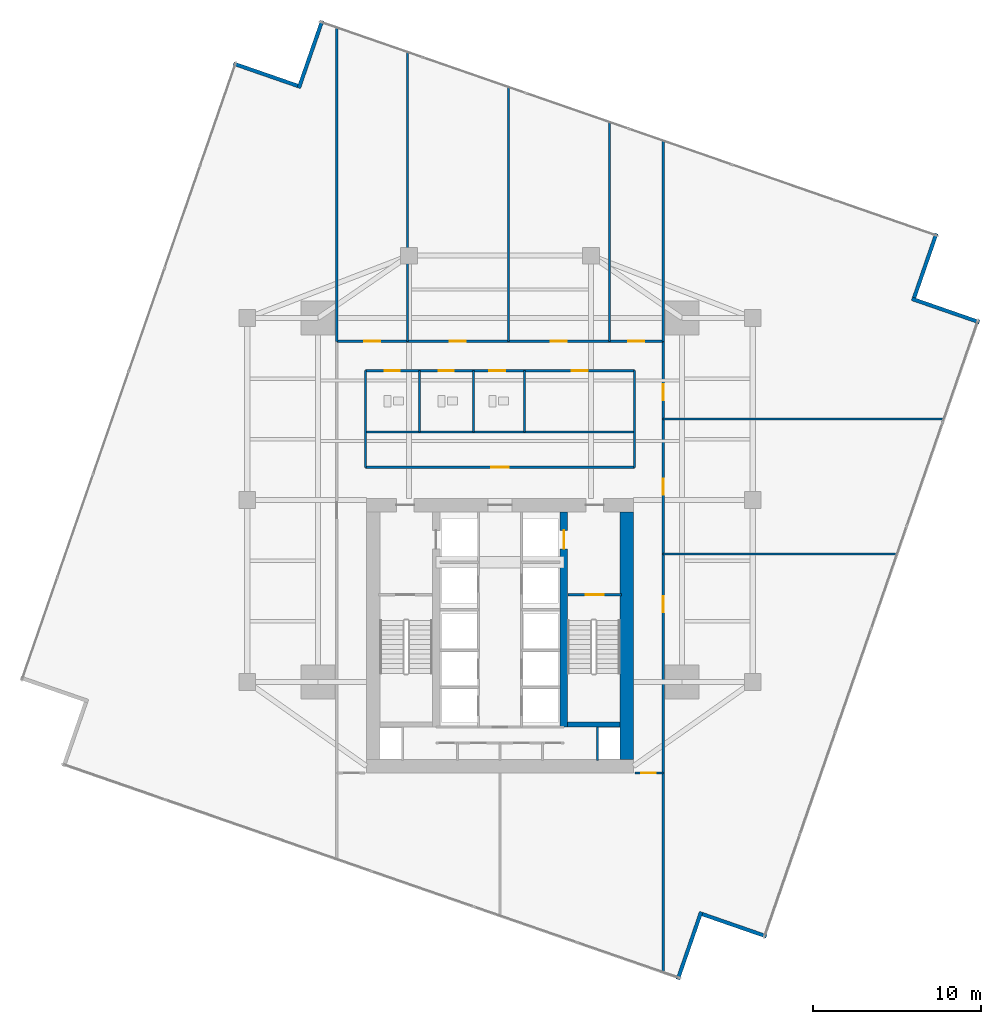
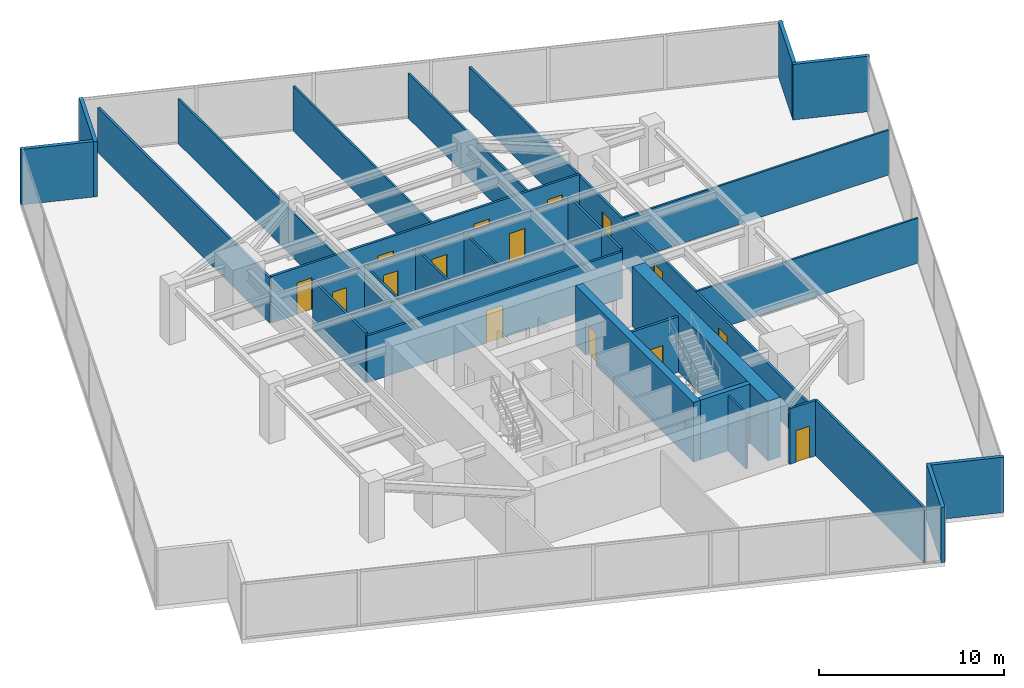
# One storey, part 24 of 27: 30 walls, 15 doors, 15 openings.
"""IFC4 building model written with IfcOpenShell, lengths in metres."""

import ifcopenshell
import ifcopenshell.guid

model = None  # the IFC model being written
_history = None  # IfcOwnerHistory: only IFC2X3 demands one
_inside = {}  # id of a spatial element -> (the spatial element, [elements in it])
_under = {}  # id of a project, library or spatial element -> (it, [spatial elements below it])
_declared = {}  # id of a project -> (the project, [libraries it declares])
_typed = {}  # id of a type object -> (the type object, [elements of that type])
_made_of = {}  # id of a material, layer set ... -> (it, [elements and type objects made of it])


def new_model(schema):
    """Start an empty IFC model of exactly this schema.

    Asked for "IFC4X3", IfcOpenShell would pick the latest addendum, in which some entities
    have other attributes; the version numbers below select the first issue.
    IFC2X3 requires an IfcOwnerHistory on every rooted entity: one is made here for all.
    """
    global model, _history
    if schema == "IFC4X3":
        model = ifcopenshell.file(schema_version=(4, 3, 0, 0))
    else:
        model = ifcopenshell.file(schema=schema)
    _inside.clear()
    _under.clear()
    _declared.clear()
    _typed.clear()
    _made_of.clear()
    _history = None
    if model.schema == "IFC2X3":
        org = make("IfcOrganization", Name="unknown")
        user = make(
            "IfcPersonAndOrganization",
            ThePerson=make("IfcPerson", FamilyName="unknown"),
            TheOrganization=org,
        )
        app = make(
            "IfcApplication",
            ApplicationDeveloper=org,
            Version="unknown",
            ApplicationFullName="unknown",
            ApplicationIdentifier="unknown",
        )
        _history = make(
            "IfcOwnerHistory",
            OwningUser=user,
            OwningApplication=app,
            ChangeAction="ADDED",
            CreationDate=0,
        )
    return model


def make(cls, **values):
    """One entity of the class cls with the attributes given. An attribute that is None is left unset."""
    return model.create_entity(
        cls, **{name: value for name, value in values.items() if value is not None}
    )


def rooted(cls, **values):
    """An entity with a GlobalId (a new one), such as an element, a storey or a relation."""
    return make(cls, GlobalId=ifcopenshell.guid.new(), OwnerHistory=_history, **values)


def si_unit(unit_type, name, prefix=None):
    """IfcSIUnit, for example si_unit("LENGTHUNIT", "METRE", prefix="MILLI")."""
    return make("IfcSIUnit", UnitType=unit_type, Prefix=prefix, Name=name)


def assignment(units):
    """IfcUnitAssignment: the units of a project."""
    return None if units is None else make("IfcUnitAssignment", Units=units)


def point(xyz):
    """IfcCartesianPoint."""
    return None if xyz is None else make("IfcCartesianPoint", Coordinates=xyz)


def direction(xyz):
    """IfcDirection."""
    return None if xyz is None else make("IfcDirection", DirectionRatios=xyz)


def frame(location, z_axis=None, x_axis=None):
    """IfcAxis2Placement3D, a coordinate frame: its origin and axes. An axis left out is left unset."""
    return make(
        "IfcAxis2Placement3D",
        Location=point(location),
        Axis=direction(z_axis),
        RefDirection=direction(x_axis),
    )


def frame_2d(location, x_axis=None):
    """IfcAxis2Placement2D, a coordinate frame in the plane: its origin and x axis."""
    return make(
        "IfcAxis2Placement2D", Location=point(location), RefDirection=direction(x_axis)
    )


def origin():
    """The frame at (0, 0, 0) with its axes left unset."""
    return frame((0.0, 0.0, 0.0))


def place(relative_to, where):
    """IfcLocalPlacement: puts the frame where relative to a parent placement (None: the world)."""
    return make(
        "IfcLocalPlacement", PlacementRelTo=relative_to, RelativePlacement=where
    )


def context(
    kind, dimensions, precision=None, world=None, true_north=None, identifier=None
):
    """IfcGeometricRepresentationContext, for example the 3D "Model" context."""
    return make(
        "IfcGeometricRepresentationContext",
        ContextIdentifier=identifier,
        ContextType=kind,
        CoordinateSpaceDimension=dimensions,
        Precision=precision,
        WorldCoordinateSystem=world,
        TrueNorth=true_north,
    )


def subcontext(parent, identifier, kind, view, scale=None):
    """IfcGeometricRepresentationSubContext, for example "Body" below "Model"."""
    return make(
        "IfcGeometricRepresentationSubContext",
        ContextIdentifier=identifier,
        ContextType=kind,
        ParentContext=parent,
        TargetScale=scale,
        TargetView=view,
    )


def project(units=None, contexts=None):
    """IfcProject with its units and contexts."""
    return rooted(
        "IfcProject",
        Name="project",
        RepresentationContexts=contexts,
        UnitsInContext=assignment(units),
    )


def spatial(cls, under=None, at=None, **own):
    """A site, building, storey or space (cls), placed at a placement, below another one or the project."""
    s = rooted(cls, ObjectPlacement=at, **own)
    if under is not None:
        _under.setdefault(under.id(), (under, []))[1].append(s)
    return s


def profile(cls, at=None, kind="AREA", **sizes):
    """A parametric profile (cls). Its sizes go by their IFC names, for example OverallWidth=200.0."""
    return make(cls, ProfileType=kind, Position=at, **sizes)


def rectangle(**sizes):
    """IfcRectangleProfileDef."""
    return profile("IfcRectangleProfileDef", **sizes)


def extrude(swept, where, along, depth):
    """IfcExtrudedAreaSolid: the profile swept, set in the frame where, extruded along a direction by depth."""
    return make(
        "IfcExtrudedAreaSolid",
        SweptArea=swept,
        Position=where,
        ExtrudedDirection=direction(along),
        Depth=depth,
    )


def shape(context_of_items, identifier, shape_type, items):
    """IfcShapeRepresentation: the items that make up one representation, for example the "Body"."""
    return make(
        "IfcShapeRepresentation",
        ContextOfItems=context_of_items,
        RepresentationIdentifier=identifier,
        RepresentationType=shape_type,
        Items=items,
    )


def material(Name=None, Category=None):
    """IfcMaterial."""
    return make("IfcMaterial", Name=Name, Category=Category)


def layer(
    of_material, thickness, ventilated=None, Name=None, Category=None, Priority=None
):
    """IfcMaterialLayer: one layer of a wall or slab, of a material (None: an air gap)."""
    return make(
        "IfcMaterialLayer",
        Material=of_material,
        LayerThickness=thickness,
        IsVentilated=ventilated,
        Name=Name,
        Category=Category,
        Priority=Priority,
    )


def layer_set(layers, Name=None):
    """IfcMaterialLayerSet."""
    return make("IfcMaterialLayerSet", MaterialLayers=layers, LayerSetName=Name)


def made_of(thing, what):
    """Note that an element or type object is made of a material, layer set ...; save() writes the relation."""
    if what is not None:
        _made_of.setdefault(what.id(), (what, []))[1].append(thing)
    return thing


def type_object(cls, material=None, **own):
    """A type object (cls), such as IfcWallType, which elements share."""
    return made_of(rooted(cls, **own), material)


def element(
    cls,
    number,
    at=None,
    inside=None,
    cuts=None,
    type_object=None,
    material=None,
    context=None,
    identifier="Body",
    shape_type=None,
    held_by="IfcProductDefinitionShape",
    body=None,
    shapes=None,
    **own,
):
    """One element of the class cls, such as IfcWall. Its Tag is "e" and its number.

    at: its placement. inside: the storey or other place that contains it. cuts: it is an
    opening in that element (IfcRelVoidsElement). A single representation is given by context,
    identifier, shape_type and body (its items); several are given by shapes. held_by: the class
    of the entity that holds the representations. save() writes the other relations.
    """
    e = rooted(cls, Tag="e%d" % number, ObjectPlacement=at, **own)
    if body is not None:
        shapes = [shape(context, identifier, shape_type, body)]
    if shapes is not None:
        e.Representation = make(held_by, Representations=shapes)
    if inside is not None:
        _inside.setdefault(inside.id(), (inside, []))[1].append(e)
    if cuts is not None:
        rooted(
            "IfcRelVoidsElement", RelatingBuildingElement=cuts, RelatedOpeningElement=e
        )
    if type_object is not None:
        _typed.setdefault(type_object.id(), (type_object, []))[1].append(e)
    return made_of(e, material)


def fill(opening, filler):
    """IfcRelFillsElement: the door or window that sits in an opening."""
    return rooted(
        "IfcRelFillsElement",
        RelatingOpeningElement=opening,
        RelatedBuildingElement=filler,
    )


def aggregate(whole, parts):
    """IfcRelAggregates: a whole, such as a stair, and the parts it consists of."""
    return rooted("IfcRelAggregates", RelatingObject=whole, RelatedObjects=parts)


def save(model, path):
    """Write the relations noted so far, then the file.

    IfcRelAggregates (storeys below a building ...), IfcRelContainedInSpatialStructure (elements
    in a storey), IfcRelDefinesByType, IfcRelAssociatesMaterial and IfcRelDeclares: one each for
    every whole, place, type object, material and project.
    """
    for whole, parts in _under.values():
        aggregate(whole, parts)
    for where, things in _inside.values():
        rooted(
            "IfcRelContainedInSpatialStructure",
            RelatedElements=things,
            RelatingStructure=where,
        )
    for kind, things in _typed.values():
        rooted("IfcRelDefinesByType", RelatedObjects=things, RelatingType=kind)
    for what, things in _made_of.values():
        rooted("IfcRelAssociatesMaterial", RelatedObjects=things, RelatingMaterial=what)
    for by, libraries in _declared.values():
        rooted("IfcRelDeclares", RelatingContext=by, RelatedDefinitions=libraries)
    model.write(path)


model = new_model("IFC4")

# Units and contexts
model_context = context("Model", 3, precision=1e-05, world=origin(), true_north=direction((0.0, 1.0)))
body_context = subcontext(model_context, "Body", "Model", "MODEL_VIEW")
ifc_project = project(units=[si_unit("LENGTHUNIT", "METRE"), si_unit("AREAUNIT", "SQUARE_METRE"), si_unit("VOLUMEUNIT", "CUBIC_METRE"), si_unit("PLANEANGLEUNIT", "RADIAN"), si_unit("MASSUNIT", "GRAM", prefix="KILO")], contexts=[model_context])

# Site, building, storey
site_placement = place(None, origin())
site = spatial("IfcSite", under=ifc_project, at=site_placement, CompositionType="ELEMENT")
building_placement = place(site_placement, origin())
building = spatial("IfcBuilding", under=site, at=building_placement, Name="Krantzveldt Concourse Tower", CompositionType="ELEMENT")
storey_placement = place(building_placement, frame((0.0, 0.0, 125.60009765625)))
storey = spatial("IfcBuildingStorey", under=building, at=storey_placement, Name="L30", CompositionType="ELEMENT", Elevation=125.60009765625)

# Walls
ifc_material_1 = material(Name="Anodised aluminium 6063-T6", Category="aluminium")
ifc_layer_1 = layer(ifc_material_1, 0.219970703125, Name="Anodised aluminium 6063-T6", Category="aluminium")
ifc_layer_set_1 = layer_set([ifc_layer_1], Name="Anodised aluminium 6063-T6 (WL-EXT-NOTCH220)")
wall_type_1 = type_object("IfcWallType", Name="WL-EXT-NOTCH220", PredefinedType="ELEMENTEDWALL", material=ifc_layer_set_1)
wall_1_placement = place(storey_placement, frame((23.99072265625, 51.28125, 0.0), z_axis=(0.0, 0.0, 1.0), x_axis=(-0.944792639593, 0.327668839181, 0.0)))
element("IfcWall", 1, at=wall_1_placement, inside=storey, type_object=wall_type_1, Name="EW-L30-NCH00", PredefinedType="ELEMENTEDWALL", context=body_context, shape_type="SweptSolid", body=[
    extrude(rectangle(XDim=4.02490234375, YDim=0.219970703125, at=frame_2d((2.012451171875, 0.0))), origin(), (0.0, 0.0, 1.0), 3.669921875),
])
wall_2_placement = place(storey_placement, frame((46.550537109375, -1.751953125, 0.0), z_axis=(0.0, 0.0, 1.0), x_axis=(0.327661647146, 0.944795133873, 0.0)))
element("IfcWall", 2, at=wall_2_placement, inside=storey, type_object=wall_type_1, Name="EW-L30-NCH05", PredefinedType="ELEMENTEDWALL", context=body_context, shape_type="SweptSolid", body=[
    extrude(rectangle(XDim=4.244873046875, YDim=0.219970703125, at=frame_2d((2.12255859375, 0.0))), origin(), (0.0, 0.0, 1.0), 3.669921875),
])
wall_3_placement = place(storey_placement, frame((48.00927734375, 2.11865234375, 0.0), z_axis=(0.0, 0.0, 1.0), x_axis=(0.944811416539, -0.327614693164, 0.0)))
element("IfcWall", 3, at=wall_3_placement, inside=storey, type_object=wall_type_1, Name="EW-L30-NCH06", PredefinedType="ELEMENTEDWALL", context=body_context, shape_type="SweptSolid", body=[
    extrude(rectangle(XDim=4.02490234375, YDim=0.219970703125, at=frame_2d((2.012451171875, 0.0))), origin(), (0.0, 0.0, 1.0), 3.669921875),
])
wall_4_placement = place(storey_placement, frame((64.4521484375, 37.25048828125, 0.0), z_axis=(0.0, 0.0, 1.0), x_axis=(-0.944801308279, 0.327643843028, 0.0)))
element("IfcWall", 4, at=wall_4_placement, inside=storey, type_object=wall_type_1, Name="EW-L30-NCH08", PredefinedType="ELEMENTEDWALL", context=body_context, shape_type="SweptSolid", body=[
    extrude(rectangle(XDim=4.2451171875, YDim=0.219970703125, at=frame_2d((2.12255859375, 0.0))), origin(), (0.0, 0.0, 1.0), 3.669921875),
])
wall_5_placement = place(storey_placement, frame((60.581298828125, 38.709228515625, 0.0), z_axis=(0.0, 0.0, 1.0), x_axis=(0.327650062068, 0.94479915158, 0.0)))
element("IfcWall", 5, at=wall_5_placement, inside=storey, type_object=wall_type_1, Name="EW-L30-NCH09", PredefinedType="ELEMENTEDWALL", context=body_context, shape_type="SweptSolid", body=[
    extrude(rectangle(XDim=4.025146484375, YDim=0.219970703125, at=frame_2d((2.0126953125, 0.0))), origin(), (0.0, 0.0, 1.0), 3.669921875),
])
wall_6_placement = place(storey_placement, frame((25.449462890625, 55.152099609375, 0.0), z_axis=(0.0, 0.0, 1.0), x_axis=(-0.327643843028, -0.944801308279, 0.0)))
element("IfcWall", 6, at=wall_6_placement, inside=storey, type_object=wall_type_1, Name="EW-L30-NCH11", PredefinedType="ELEMENTEDWALL", context=body_context, shape_type="SweptSolid", body=[
    extrude(rectangle(XDim=4.2451171875, YDim=0.219970703125, at=frame_2d((2.12255859375, 0.0))), origin(), (0.0, 0.0, 1.0), 3.669921875),
])
ifc_material_2 = material(Name="Fire-rated gypsum plasterboard on steel stud", Category="steel")
ifc_layer_2 = layer(ifc_material_2, 0.1201171875, Name="Fire-rated gypsum plasterboard on steel stud", Category="steel")
ifc_layer_set_2 = layer_set([ifc_layer_2], Name="Fire-rated gypsum plasterboard on steel stud (WL-PART-120)")
wall_type_2 = type_object("IfcWallType", Name="WL-PART-120", PredefinedType="PARTITIONING", material=ifc_layer_set_2)
wall_7_placement = place(storey_placement, frame((28.02001953125, 30.739990234375, 0.0), z_axis=(0.0, 0.0, 1.0), x_axis=(1.0, 0.0, 0.0)))
element("IfcWall", 7, at=wall_7_placement, inside=storey, type_object=wall_type_2, Name="WP-L30-ISLM", PredefinedType="PARTITIONING", context=body_context, shape_type="SweptSolid", body=[
    extrude(rectangle(XDim=15.9599609375, YDim=0.1201171875, at=frame_2d((7.97998046875, 0.0))), origin(), (0.0, 0.0, 1.0), 3.079833984375),
])
for number, where, z_axis, x_axis, name in (
    (8, (31.219970703125, 30.739990234375, 0.0), (0.0, 0.0, 1.0), (0.0, 1.0, 0.0), "WP-L30-WCD1"),
    (9, (34.419921875, 30.739990234375, 0.0), (0.0, 0.0, 1.0), (0.0, 1.0, 0.0), "WP-L30-WCD2"),
    (10, (37.449951171875, 30.739990234375, 0.0), (0.0, 0.0, 1.0), (0.0, 1.0, 0.0), "WP-L30-WCD3"),
):
    element("IfcWall", number, at=place(storey_placement, frame(where, z_axis=z_axis, x_axis=x_axis)), inside=storey, type_object=wall_type_2, Name=name, PredefinedType="PARTITIONING", context=body_context, shape_type="SweptSolid", body=[
        extrude(rectangle(XDim=3.639892578125, YDim=0.1201171875, at=frame_2d((1.81982421875, 0.0))), origin(), (0.0, 0.0, 1.0), 3.169921875),
    ])
wall_8_placement = place(storey_placement, frame((30.5, 36.1201171875, 0.0), z_axis=(0.0, 0.0, 1.0), x_axis=(0.0, 1.0, 0.0)))
element("IfcWall", 11, at=wall_8_placement, inside=storey, type_object=wall_type_2, Name="WP-L30-ND1", PredefinedType="PARTITIONING", context=body_context, shape_type="SweptSolid", body=[
    extrude(rectangle(XDim=17.158935546875, YDim=0.1201171875, at=frame_2d((8.57958984375, 0.0))), origin(), (0.0, 0.0, 1.0), 2.969970703125),
])
wall_9_placement = place(storey_placement, frame((36.5, 36.1201171875, 0.0), z_axis=(0.0, 0.0, 1.0), x_axis=(0.0, 1.0, 0.0)))
element("IfcWall", 12, at=wall_9_placement, inside=storey, type_object=wall_type_2, Name="WP-L30-ND2", PredefinedType="PARTITIONING", context=body_context, shape_type="SweptSolid", body=[
    extrude(rectangle(XDim=15.078125, YDim=0.1201171875, at=frame_2d((7.5390625, 0.0))), origin(), (0.0, 0.0, 1.0), 2.969970703125),
])
wall_10_placement = place(storey_placement, frame((42.5, 36.1201171875, 0.0), z_axis=(0.0, 0.0, 1.0), x_axis=(0.0, 1.0, 0.0)))
element("IfcWall", 13, at=wall_10_placement, inside=storey, type_object=wall_type_2, Name="WP-L30-ND3", PredefinedType="PARTITIONING", context=body_context, shape_type="SweptSolid", body=[
    extrude(rectangle(XDim=12.99755859375, YDim=0.1201171875, at=frame_2d((6.498779296875, 0.0))), origin(), (0.0, 0.0, 1.0), 2.969970703125),
])
wall_11_placement = place(storey_placement, frame((45.679931640625, 23.5, 0.0), z_axis=(0.0, 0.0, 1.0), x_axis=(1.0, 0.0, 0.0)))
element("IfcWall", 14, at=wall_11_placement, inside=storey, type_object=wall_type_2, Name="WP-L30-ED1", PredefinedType="PARTITIONING", context=body_context, shape_type="SweptSolid", body=[
    extrude(rectangle(XDim=13.882080078125, YDim=0.1201171875, at=frame_2d((6.94091796875, 0.0))), origin(), (0.0, 0.0, 1.0), 2.969970703125),
])
wall_12_placement = place(storey_placement, frame((45.679931640625, 31.5, 0.0), z_axis=(0.0, 0.0, 1.0), x_axis=(1.0, 0.0, 0.0)))
element("IfcWall", 15, at=wall_12_placement, inside=storey, type_object=wall_type_2, Name="WP-L30-ED2", PredefinedType="PARTITIONING", context=body_context, shape_type="SweptSolid", body=[
    extrude(rectangle(XDim=16.65625, YDim=0.1201171875, at=frame_2d((8.328125, 0.0))), origin(), (0.0, 0.0, 1.0), 2.969970703125),
])

# Wall, opening, door
ifc_layer_3 = layer(ifc_material_2, 0.139892578125, Name="Fire-rated gypsum plasterboard on steel stud", Category="steel")
ifc_layer_set_3 = layer_set([ifc_layer_3], Name="Fire-rated gypsum plasterboard on steel stud (WL-PART-140)")
wall_type_3 = type_object("IfcWallType", Name="WL-PART-140", PredefinedType="PARTITIONING", material=ifc_layer_set_3)
wall_13_placement = place(storey_placement, frame((28.02001953125, 28.639892578125, 0.0), z_axis=(0.0, 0.0, 1.0), x_axis=(1.0, 0.0, 0.0)))
wall_13 = element("IfcWall", 16, at=wall_13_placement, inside=storey, type_object=wall_type_3, Name="WP-L30-ISLS", PredefinedType="PARTITIONING", context=body_context, shape_type="SweptSolid", body=[
    extrude(rectangle(XDim=15.9599609375, YDim=0.139892578125, at=frame_2d((7.97998046875, 0.0))), origin(), (0.0, 0.0, 1.0), 3.079833984375),
])
opening_1_placement = place(wall_13_placement, frame((7.455078125, 0.0, 0.0)))
opening_1 = element("IfcOpeningElement", 17, at=opening_1_placement, cuts=wall_13, Name="Opening D-IN105", PredefinedType="OPENING", context=body_context, shape_type="SweptSolid", body=[
    extrude(rectangle(XDim=1.050048828125, YDim=2.14990234375, at=frame_2d((0.52490234375, 1.074951171875))), frame((0.0, 0.080078125, 0.0), z_axis=(0.0, -1.0, 0.0), x_axis=(1.0, 0.0, 0.0)), (0.0, 0.0, 1.0), 0.159912109375),
])
ifc_material_3 = material(Name="Hardwood timber", Category="wood")
door_type_1 = type_object("IfcDoorType", Name="DR-INT-1050", OperationType="SINGLE_SWING_LEFT", PredefinedType="DOOR", material=ifc_material_3)
door_1_placement = place(opening_1_placement, origin())
door_1 = element("IfcDoor", 18, at=door_1_placement, inside=storey, type_object=door_type_1, Name="DR-L30-MIDB", OperationType="SINGLE_SWING_LEFT", OverallHeight=2.14990234375, OverallWidth=1.050048828125, PredefinedType="DOOR", context=body_context, shape_type="SweptSolid", body=[
    extrude(rectangle(XDim=1.050048828125, YDim=2.14990234375, at=frame_2d((0.52490234375, 1.074951171875))), frame((0.0, 0.02490234375, 0.0), z_axis=(0.0, -1.0, 0.0), x_axis=(1.0, 0.0, 0.0)), (0.0, 0.0, 1.0), 0.050048828125),
])
fill(opening_1, door_1)

# Wall, openings, doors
wall_14_placement = place(storey_placement, frame((28.02001953125, 34.3798828125, 0.0), z_axis=(0.0, 0.0, 1.0), x_axis=(1.0, 0.0, 0.0)))
wall_14 = element("IfcWall", 19, at=wall_14_placement, inside=storey, type_object=wall_type_3, Name="WP-L30-ISLN", PredefinedType="PARTITIONING", context=body_context, shape_type="SweptSolid", body=[
    extrude(rectangle(XDim=15.9599609375, YDim=0.139892578125, at=frame_2d((7.97998046875, 0.0))), origin(), (0.0, 0.0, 1.0), 3.079833984375),
])
opening_2_placement = place(wall_14_placement, frame((1.1298828125, 0.0, 0.0)))
opening_2 = element("IfcOpeningElement", 20, at=opening_2_placement, cuts=wall_14, Name="Opening D-IN090", PredefinedType="OPENING", context=body_context, shape_type="SweptSolid", body=[
    extrude(rectangle(XDim=0.89990234375, YDim=2.10009765625, at=frame_2d((0.449951171875, 1.050048828125))), frame((0.0, 0.080078125, 0.0), z_axis=(0.0, -1.0, 0.0), x_axis=(1.0, 0.0, 0.0)), (0.0, 0.0, 1.0), 0.159912109375),
])
opening_3_placement = place(wall_14_placement, frame((4.330078125, 0.0, 0.0)))
opening_3 = element("IfcOpeningElement", 21, at=opening_3_placement, cuts=wall_14, Name="Opening D-IN090", PredefinedType="OPENING", context=body_context, shape_type="SweptSolid", body=[
    extrude(rectangle(XDim=0.89990234375, YDim=2.10009765625, at=frame_2d((0.449951171875, 1.050048828125))), frame((0.0, 0.080078125, 0.0), z_axis=(0.0, -1.0, 0.0), x_axis=(1.0, 0.0, 0.0)), (0.0, 0.0, 1.0), 0.159912109375),
])
opening_4_placement = place(wall_14_placement, frame((7.35498046875, 0.0, 0.0)))
opening_4 = element("IfcOpeningElement", 22, at=opening_4_placement, cuts=wall_14, Name="Opening D-IN095", PredefinedType="OPENING", context=body_context, shape_type="SweptSolid", body=[
    extrude(rectangle(XDim=0.949951171875, YDim=2.10009765625, at=frame_2d((0.47509765625, 1.050048828125))), frame((0.0, 0.080078125, 0.0), z_axis=(0.0, -1.0, 0.0), x_axis=(1.0, 0.0, 0.0)), (0.0, 0.0, 1.0), 0.159912109375),
])
opening_5_placement = place(wall_14_placement, frame((12.22998046875, 0.0, 0.0)))
opening_5 = element("IfcOpeningElement", 23, at=opening_5_placement, cuts=wall_14, Name="Opening D-IN095", PredefinedType="OPENING", context=body_context, shape_type="SweptSolid", body=[
    extrude(rectangle(XDim=0.949951171875, YDim=2.10009765625, at=frame_2d((0.47509765625, 1.050048828125))), frame((0.0, 0.080078125, 0.0), z_axis=(0.0, -1.0, 0.0), x_axis=(1.0, 0.0, 0.0)), (0.0, 0.0, 1.0), 0.159912109375),
])
door_type_2 = type_object("IfcDoorType", Name="DR-INT-900", OperationType="SINGLE_SWING_LEFT", PredefinedType="DOOR", material=ifc_material_3)
door_2_placement = place(opening_2_placement, origin())
door_2 = element("IfcDoor", 24, at=door_2_placement, inside=storey, type_object=door_type_2, Name="DR-L30-WCM", OperationType="SINGLE_SWING_LEFT", OverallHeight=2.10009765625, OverallWidth=0.89990234375, PredefinedType="DOOR", context=body_context, shape_type="SweptSolid", body=[
    extrude(rectangle(XDim=0.89990234375, YDim=2.10009765625, at=frame_2d((0.449951171875, 1.050048828125))), frame((0.0, 0.02490234375, 0.0), z_axis=(0.0, -1.0, 0.0), x_axis=(1.0, 0.0, 0.0)), (0.0, 0.0, 1.0), 0.050048828125),
])
fill(opening_2, door_2)
door_3_placement = place(opening_3_placement, origin())
door_3 = element("IfcDoor", 25, at=door_3_placement, inside=storey, type_object=door_type_2, Name="DR-L30-WCF", OperationType="SINGLE_SWING_RIGHT", OverallHeight=2.10009765625, OverallWidth=0.89990234375, PredefinedType="DOOR", context=body_context, shape_type="SweptSolid", body=[
    extrude(rectangle(XDim=0.89990234375, YDim=2.10009765625, at=frame_2d((0.449951171875, 1.050048828125))), frame((0.0, 0.02490234375, 0.0), z_axis=(0.0, -1.0, 0.0), x_axis=(1.0, 0.0, 0.0)), (0.0, 0.0, 1.0), 0.050048828125),
])
fill(opening_3, door_3)
door_type_3 = type_object("IfcDoorType", Name="DR-INT-950", OperationType="SINGLE_SWING_LEFT", PredefinedType="DOOR", material=ifc_material_3)
door_4_placement = place(opening_4_placement, origin())
door_4 = element("IfcDoor", 26, at=door_4_placement, inside=storey, type_object=door_type_3, Name="DR-L30-WCA", OperationType="SINGLE_SWING_LEFT", OverallHeight=2.10009765625, OverallWidth=0.949951171875, PredefinedType="DOOR", context=body_context, shape_type="SweptSolid", body=[
    extrude(rectangle(XDim=0.949951171875, YDim=2.10009765625, at=frame_2d((0.47509765625, 1.050048828125))), frame((0.0, 0.02490234375, 0.0), z_axis=(0.0, -1.0, 0.0), x_axis=(1.0, 0.0, 0.0)), (0.0, 0.0, 1.0), 0.050048828125),
])
fill(opening_4, door_4)
door_5_placement = place(opening_5_placement, origin())
door_5 = element("IfcDoor", 27, at=door_5_placement, inside=storey, type_object=door_type_3, Name="DR-L30-PNT", OperationType="SINGLE_SWING_RIGHT", OverallHeight=2.10009765625, OverallWidth=0.949951171875, PredefinedType="DOOR", context=body_context, shape_type="SweptSolid", body=[
    extrude(rectangle(XDim=0.949951171875, YDim=2.10009765625, at=frame_2d((0.47509765625, 1.050048828125))), frame((0.0, 0.02490234375, 0.0), z_axis=(0.0, -1.0, 0.0), x_axis=(1.0, 0.0, 0.0)), (0.0, 0.0, 1.0), 0.050048828125),
])
fill(opening_5, door_5)

# Walls
for number, where, z_axis, x_axis, name in (
    (28, (28.02001953125, 28.639892578125, 0.0), (0.0, 0.0, 1.0), (0.0, 1.0, 0.0), "WP-L30-ISLW"),
    (29, (43.97998046875, 28.639892578125, 0.0), (0.0, 0.0, 1.0), (0.0, 1.0, 0.0), "WP-L30-ISLE"),
):
    element("IfcWall", number, at=place(storey_placement, frame(where, z_axis=z_axis, x_axis=x_axis)), inside=storey, type_object=wall_type_3, Name=name, PredefinedType="PARTITIONING", context=body_context, shape_type="SweptSolid", body=[
        extrude(rectangle(XDim=5.739990234375, YDim=0.139892578125, at=frame_2d((2.8701171875, 0.0))), origin(), (0.0, 0.0, 1.0), 3.27001953125),
    ])

# Wall, openings, doors
wall_15_placement = place(storey_placement, frame((26.320068359375, 36.1201171875, 0.0), z_axis=(0.0, 0.0, 1.0), x_axis=(1.0, 0.0, 0.0)))
wall_15 = element("IfcWall", 30, at=wall_15_placement, inside=storey, type_object=wall_type_3, Name="WP-L30-CTOP", PredefinedType="PARTITIONING", context=body_context, shape_type="SweptSolid", body=[
    extrude(rectangle(XDim=19.35986328125, YDim=0.139892578125, at=frame_2d((9.679931640625, 0.0))), origin(), (0.0, 0.0, 1.0), 3.079833984375),
])
opening_6_placement = place(wall_15_placement, frame((1.614990234375, 0.0, 0.0)))
opening_6 = element("IfcOpeningElement", 31, at=opening_6_placement, cuts=wall_15, Name="Opening D-IN095", PredefinedType="OPENING", context=body_context, shape_type="SweptSolid", body=[
    extrude(rectangle(XDim=0.949951171875, YDim=2.10009765625, at=frame_2d((0.47509765625, 1.050048828125))), frame((0.0, 0.080078125, 0.0), z_axis=(0.0, -1.0, 0.0), x_axis=(1.0, 0.0, 0.0)), (0.0, 0.0, 1.0), 0.159912109375),
])
opening_7_placement = place(wall_15_placement, frame((6.705078125, 0.0, 0.0)))
opening_7 = element("IfcOpeningElement", 32, at=opening_7_placement, cuts=wall_15, Name="Opening D-IN095", PredefinedType="OPENING", context=body_context, shape_type="SweptSolid", body=[
    extrude(rectangle(XDim=0.949951171875, YDim=2.10009765625, at=frame_2d((0.47509765625, 1.050048828125))), frame((0.0, 0.080078125, 0.0), z_axis=(0.0, -1.0, 0.0), x_axis=(1.0, 0.0, 0.0)), (0.0, 0.0, 1.0), 0.159912109375),
])
opening_8_placement = place(wall_15_placement, frame((12.705078125, 0.0, 0.0)))
opening_8 = element("IfcOpeningElement", 33, at=opening_8_placement, cuts=wall_15, Name="Opening D-IN095", PredefinedType="OPENING", context=body_context, shape_type="SweptSolid", body=[
    extrude(rectangle(XDim=0.949951171875, YDim=2.10009765625, at=frame_2d((0.47509765625, 1.050048828125))), frame((0.0, 0.080078125, 0.0), z_axis=(0.0, -1.0, 0.0), x_axis=(1.0, 0.0, 0.0)), (0.0, 0.0, 1.0), 0.159912109375),
])
opening_9_placement = place(wall_15_placement, frame((17.294921875, 0.0, 0.0)))
opening_9 = element("IfcOpeningElement", 34, at=opening_9_placement, cuts=wall_15, Name="Opening D-IN095", PredefinedType="OPENING", context=body_context, shape_type="SweptSolid", body=[
    extrude(rectangle(XDim=0.949951171875, YDim=2.10009765625, at=frame_2d((0.47509765625, 1.050048828125))), frame((0.0, 0.080078125, 0.0), z_axis=(0.0, -1.0, 0.0), x_axis=(1.0, 0.0, 0.0)), (0.0, 0.0, 1.0), 0.159912109375),
])
door_6_placement = place(opening_6_placement, origin())
door_6 = element("IfcDoor", 35, at=door_6_placement, inside=storey, type_object=door_type_3, Name="DR-L30-NR1", OperationType="SINGLE_SWING_LEFT", OverallHeight=2.10009765625, OverallWidth=0.949951171875, PredefinedType="DOOR", context=body_context, shape_type="SweptSolid", body=[
    extrude(rectangle(XDim=0.949951171875, YDim=2.10009765625, at=frame_2d((0.47509765625, 1.050048828125))), frame((0.0, 0.02490234375, 0.0), z_axis=(0.0, -1.0, 0.0), x_axis=(1.0, 0.0, 0.0)), (0.0, 0.0, 1.0), 0.050048828125),
])
fill(opening_6, door_6)
door_7_placement = place(opening_7_placement, origin())
door_7 = element("IfcDoor", 36, at=door_7_placement, inside=storey, type_object=door_type_3, Name="DR-L30-NR2", OperationType="SINGLE_SWING_LEFT", OverallHeight=2.10009765625, OverallWidth=0.949951171875, PredefinedType="DOOR", context=body_context, shape_type="SweptSolid", body=[
    extrude(rectangle(XDim=0.949951171875, YDim=2.10009765625, at=frame_2d((0.47509765625, 1.050048828125))), frame((0.0, 0.02490234375, 0.0), z_axis=(0.0, -1.0, 0.0), x_axis=(1.0, 0.0, 0.0)), (0.0, 0.0, 1.0), 0.050048828125),
])
fill(opening_7, door_7)
door_8_placement = place(opening_8_placement, origin())
door_8 = element("IfcDoor", 37, at=door_8_placement, inside=storey, type_object=door_type_3, Name="DR-L30-NR3", OperationType="SINGLE_SWING_LEFT", OverallHeight=2.10009765625, OverallWidth=0.949951171875, PredefinedType="DOOR", context=body_context, shape_type="SweptSolid", body=[
    extrude(rectangle(XDim=0.949951171875, YDim=2.10009765625, at=frame_2d((0.47509765625, 1.050048828125))), frame((0.0, 0.02490234375, 0.0), z_axis=(0.0, -1.0, 0.0), x_axis=(1.0, 0.0, 0.0)), (0.0, 0.0, 1.0), 0.050048828125),
])
fill(opening_8, door_8)
door_9_placement = place(opening_9_placement, origin())
door_9 = element("IfcDoor", 38, at=door_9_placement, inside=storey, type_object=door_type_3, Name="DR-L30-NR4", OperationType="SINGLE_SWING_LEFT", OverallHeight=2.10009765625, OverallWidth=0.949951171875, PredefinedType="DOOR", context=body_context, shape_type="SweptSolid", body=[
    extrude(rectangle(XDim=0.949951171875, YDim=2.10009765625, at=frame_2d((0.47509765625, 1.050048828125))), frame((0.0, 0.02490234375, 0.0), z_axis=(0.0, -1.0, 0.0), x_axis=(1.0, 0.0, 0.0)), (0.0, 0.0, 1.0), 0.050048828125),
])
fill(opening_9, door_9)

wall_16_placement = place(storey_placement, frame((45.679931640625, 10.5, 0.0), z_axis=(0.0, 0.0, 1.0), x_axis=(0.0, 1.0, 0.0)))
wall_16 = element("IfcWall", 39, at=wall_16_placement, inside=storey, type_object=wall_type_3, Name="WP-L30-CEAST", PredefinedType="PARTITIONING", context=body_context, shape_type="SweptSolid", body=[
    extrude(rectangle(XDim=25.6201171875, YDim=0.139892578125, at=frame_2d((12.81005859375, 0.0))), origin(), (0.0, 0.0, 1.0), 2.969970703125),
])
opening_10_placement = place(wall_16_placement, frame((9.52490234375, 0.0, 0.0)))
opening_10 = element("IfcOpeningElement", 40, at=opening_10_placement, cuts=wall_16, Name="Opening D-IN095", PredefinedType="OPENING", context=body_context, shape_type="SweptSolid", body=[
    extrude(rectangle(XDim=0.949951171875, YDim=2.10009765625, at=frame_2d((0.47509765625, 1.050048828125))), frame((0.0, 0.080078125, 0.0), z_axis=(0.0, -1.0, 0.0), x_axis=(1.0, 0.0, 0.0)), (0.0, 0.0, 1.0), 0.159912109375),
])
opening_11_placement = place(wall_16_placement, frame((16.52490234375, 0.0, 0.0)))
opening_11 = element("IfcOpeningElement", 41, at=opening_11_placement, cuts=wall_16, Name="Opening D-IN095", PredefinedType="OPENING", context=body_context, shape_type="SweptSolid", body=[
    extrude(rectangle(XDim=0.949951171875, YDim=2.10009765625, at=frame_2d((0.47509765625, 1.050048828125))), frame((0.0, 0.080078125, 0.0), z_axis=(0.0, -1.0, 0.0), x_axis=(1.0, 0.0, 0.0)), (0.0, 0.0, 1.0), 0.159912109375),
])
opening_12_placement = place(wall_16_placement, frame((22.125, 0.0, 0.0)))
opening_12 = element("IfcOpeningElement", 42, at=opening_12_placement, cuts=wall_16, Name="Opening D-IN095", PredefinedType="OPENING", context=body_context, shape_type="SweptSolid", body=[
    extrude(rectangle(XDim=0.949951171875, YDim=2.10009765625, at=frame_2d((0.47509765625, 1.050048828125))), frame((0.0, 0.080078125, 0.0), z_axis=(0.0, -1.0, 0.0), x_axis=(1.0, 0.0, 0.0)), (0.0, 0.0, 1.0), 0.159912109375),
])
door_10_placement = place(opening_10_placement, origin())
door_10 = element("IfcDoor", 43, at=door_10_placement, inside=storey, type_object=door_type_3, Name="DR-L30-ER1", OperationType="SINGLE_SWING_LEFT", OverallHeight=2.10009765625, OverallWidth=0.949951171875, PredefinedType="DOOR", context=body_context, shape_type="SweptSolid", body=[
    extrude(rectangle(XDim=0.949951171875, YDim=2.10009765625, at=frame_2d((0.47509765625, 1.050048828125))), frame((0.0, 0.02490234375, 0.0), z_axis=(0.0, -1.0, 0.0), x_axis=(1.0, 0.0, 0.0)), (0.0, 0.0, 1.0), 0.050048828125),
])
fill(opening_10, door_10)
door_11_placement = place(opening_11_placement, origin())
door_11 = element("IfcDoor", 44, at=door_11_placement, inside=storey, type_object=door_type_3, Name="DR-L30-ER2", OperationType="SINGLE_SWING_LEFT", OverallHeight=2.10009765625, OverallWidth=0.949951171875, PredefinedType="DOOR", context=body_context, shape_type="SweptSolid", body=[
    extrude(rectangle(XDim=0.949951171875, YDim=2.10009765625, at=frame_2d((0.47509765625, 1.050048828125))), frame((0.0, 0.02490234375, 0.0), z_axis=(0.0, -1.0, 0.0), x_axis=(1.0, 0.0, 0.0)), (0.0, 0.0, 1.0), 0.050048828125),
])
fill(opening_11, door_11)
door_12_placement = place(opening_12_placement, origin())
door_12 = element("IfcDoor", 45, at=door_12_placement, inside=storey, type_object=door_type_3, Name="DR-L30-ER3", OperationType="SINGLE_SWING_LEFT", OverallHeight=2.10009765625, OverallWidth=0.949951171875, PredefinedType="DOOR", context=body_context, shape_type="SweptSolid", body=[
    extrude(rectangle(XDim=0.949951171875, YDim=2.10009765625, at=frame_2d((0.47509765625, 1.050048828125))), frame((0.0, 0.02490234375, 0.0), z_axis=(0.0, -1.0, 0.0), x_axis=(1.0, 0.0, 0.0)), (0.0, 0.0, 1.0), 0.050048828125),
])
fill(opening_12, door_12)

# Wall, opening, door
wall_17_placement = place(storey_placement, frame((44.0, 10.5, 0.0), z_axis=(0.0, 0.0, 1.0), x_axis=(1.0, 0.0, 0.0)))
wall_17 = element("IfcWall", 46, at=wall_17_placement, inside=storey, type_object=wall_type_3, Name="WP-L30-CEBOT", PredefinedType="PARTITIONING", context=body_context, shape_type="SweptSolid", body=[
    extrude(rectangle(XDim=1.679931640625, YDim=0.139892578125, at=frame_2d((0.83984375, 0.0))), origin(), (0.0, 0.0, 1.0), 3.669921875),
])
opening_13_placement = place(wall_17_placement, frame((0.385009765625, 0.0, 0.0)))
opening_13 = element("IfcOpeningElement", 47, at=opening_13_placement, cuts=wall_17, Name="Opening D-IN085", PredefinedType="OPENING", context=body_context, shape_type="SweptSolid", body=[
    extrude(rectangle(XDim=0.85009765625, YDim=2.10009765625, at=frame_2d((0.425048828125, 1.050048828125))), frame((0.0, 0.080078125, 0.0), z_axis=(0.0, -1.0, 0.0), x_axis=(1.0, 0.0, 0.0)), (0.0, 0.0, 1.0), 0.159912109375),
])
door_type_4 = type_object("IfcDoorType", Name="DR-INT-850", OperationType="SINGLE_SWING_LEFT", PredefinedType="DOOR", material=ifc_material_3)
door_13_placement = place(opening_13_placement, origin())
door_13 = element("IfcDoor", 48, at=door_13_placement, inside=storey, type_object=door_type_4, Name="DR-L30-SR2", OperationType="SINGLE_SWING_LEFT", OverallHeight=2.10009765625, OverallWidth=0.85009765625, PredefinedType="DOOR", context=body_context, shape_type="SweptSolid", body=[
    extrude(rectangle(XDim=0.85009765625, YDim=2.10009765625, at=frame_2d((0.425048828125, 1.050048828125))), frame((0.0, 0.02490234375, 0.0), z_axis=(0.0, -1.0, 0.0), x_axis=(1.0, 0.0, 0.0)), (0.0, 0.0, 1.0), 0.050048828125),
])
fill(opening_13, door_13)

# Walls
wall_18_placement = place(storey_placement, frame((26.320068359375, 36.1201171875, 0.0), z_axis=(0.0, 0.0, 1.0), x_axis=(0.0, 1.0, 0.0)))
element("IfcWall", 49, at=wall_18_placement, inside=storey, type_object=wall_type_3, Name="WP-L30-NWL", PredefinedType="PARTITIONING", context=body_context, shape_type="SweptSolid", body=[
    extrude(rectangle(XDim=18.6083984375, YDim=0.139892578125, at=frame_2d((9.30419921875, 0.0))), origin(), (0.0, 0.0, 1.0), 2.969970703125),
])
wall_19_placement = place(storey_placement, frame((45.679931640625, 36.1201171875, 0.0), z_axis=(0.0, 0.0, 1.0), x_axis=(0.0, 1.0, 0.0)))
element("IfcWall", 50, at=wall_19_placement, inside=storey, type_object=wall_type_3, Name="WP-L30-NER", PredefinedType="PARTITIONING", context=body_context, shape_type="SweptSolid", body=[
    extrude(rectangle(XDim=11.894775390625, YDim=0.139892578125, at=frame_2d((5.947265625, 0.0))), origin(), (0.0, 0.0, 1.0), 2.969970703125),
])
wall_20_placement = place(storey_placement, frame((45.679931640625, -1.32861328125, 0.0), z_axis=(0.0, 0.0, 1.0), x_axis=(0.0, 1.0, 0.0)))
element("IfcWall", 51, at=wall_20_placement, inside=storey, type_object=wall_type_3, Name="WP-L30-SER", PredefinedType="PARTITIONING", context=body_context, shape_type="SweptSolid", body=[
    extrude(rectangle(XDim=11.82861328125, YDim=0.139892578125, at=frame_2d((5.914306640625, 0.0))), origin(), (0.0, 0.0, 1.0), 3.669921875),
])
ifc_layer_4 = layer(ifc_material_2, 0.139892578125, Name="Fire-rated gypsum plasterboard on steel stud", Category="steel")
ifc_layer_set_4 = layer_set([ifc_layer_4], Name="Fire-rated gypsum plasterboard on steel stud (WL-PART-FR140)")
wall_type_4 = type_object("IfcWallType", Name="WL-PART-FR140", PredefinedType="PARTITIONING", material=ifc_layer_set_4)
wall_21_placement = place(storey_placement, frame((41.780029296875, 11.25, 0.0), z_axis=(0.0, 0.0, 1.0), x_axis=(0.0, 1.0, 0.0)))
element("IfcWall", 52, at=wall_21_placement, inside=storey, type_object=wall_type_4, Name="WP-L30-RSE", PredefinedType="PARTITIONING", context=body_context, shape_type="SweptSolid", body=[
    extrude(rectangle(XDim=1.969970703125, YDim=0.1201171875, at=frame_2d((0.98486328125, 0.0))), origin(), (0.0, 0.0, 1.0), 3.669921875),
])

# Wall, opening, door
ifc_layer_5 = layer(ifc_material_2, 0.159912109375, Name="Fire-rated gypsum plasterboard on steel stud", Category="steel")
ifc_layer_set_5 = layer_set([ifc_layer_5], Name="Fire-rated gypsum plasterboard on steel stud (WL-PART-FR160)")
wall_type_5 = type_object("IfcWallType", Name="WL-PART-FR160", PredefinedType="PARTITIONING", material=ifc_layer_set_5)
wall_22_placement = place(storey_placement, frame((40.0400390625, 21.080078125, 0.0), z_axis=(0.0, 0.0, 1.0), x_axis=(1.0, 0.0, 0.0)))
wall_22 = element("IfcWall", 53, at=wall_22_placement, inside=storey, type_object=wall_type_5, Name="WP-L30-ST2", PredefinedType="PARTITIONING", context=body_context, shape_type="SweptSolid", body=[
    extrude(rectangle(XDim=3.159912109375, YDim=0.159912109375, at=frame_2d((1.580078125, 0.0))), origin(), (0.0, 0.0, 1.0), 3.669921875),
])
opening_14_placement = place(wall_22_placement, frame((1.054931640625, 0.0, 0.0)))
opening_14 = element("IfcOpeningElement", 54, at=opening_14_placement, cuts=wall_22, Name="Opening D-FD105", PredefinedType="OPENING", context=body_context, shape_type="SweptSolid", body=[
    extrude(rectangle(XDim=1.050048828125, YDim=2.10009765625, at=frame_2d((0.52490234375, 1.050048828125))), frame((0.0, 0.08984375, 0.0), z_axis=(0.0, -1.0, 0.0), x_axis=(1.0, 0.0, 0.0)), (0.0, 0.0, 1.0), 0.179931640625),
])
ifc_material_4 = material(Name="Galvanised steel", Category="steel")
door_type_5 = type_object("IfcDoorType", Name="DR-FD120-1050", OperationType="SINGLE_SWING_LEFT", PredefinedType="DOOR", material=ifc_material_4)
door_14_placement = place(opening_14_placement, origin())
door_14 = element("IfcDoor", 55, at=door_14_placement, inside=storey, type_object=door_type_5, Name="DR-L30-ST2", OperationType="SINGLE_SWING_LEFT", OverallHeight=2.10009765625, OverallWidth=1.050048828125, PredefinedType="DOOR", context=body_context, shape_type="SweptSolid", body=[
    extrude(rectangle(XDim=1.050048828125, YDim=2.10009765625, at=frame_2d((0.52490234375, 1.050048828125))), frame((0.0, 0.02490234375, 0.0), z_axis=(0.0, -1.0, 0.0), x_axis=(1.0, 0.0, 0.0)), (0.0, 0.0, 1.0), 0.050048828125),
])
fill(opening_14, door_14)

# Wall
ifc_material_5 = material(Name="Concrete C50/60", Category="concrete")
ifc_layer_6 = layer(ifc_material_5, 0.300048828125, Name="Concrete C50/60", Category="concrete")
ifc_layer_set_6 = layer_set([ifc_layer_6], Name="Concrete C50/60 (WL-SHEAR-300)")
wall_type_6 = type_object("IfcWallType", Name="WL-SHEAR-300", PredefinedType="SHEAR", material=ifc_layer_set_6)
wall_23_placement = place(storey_placement, frame((40.02001953125, 13.3701171875, 0.0), z_axis=(0.0, 0.0, 1.0), x_axis=(1.0, 0.0, 0.0)))
element("IfcWall", 56, at=wall_23_placement, inside=storey, type_object=wall_type_6, Name="CW-L30-ST2S", PredefinedType="SHEAR", context=body_context, shape_type="SweptSolid", body=[
    extrude(rectangle(XDim=3.10009765625, YDim=0.300048828125, at=frame_2d((1.550048828125, 0.0))), origin(), (0.0, 0.0, 1.0), 3.949951171875),
])

# Wall, opening, door
ifc_layer_7 = layer(ifc_material_5, 0.449951171875, Name="Concrete C50/60", Category="concrete")
ifc_layer_set_7 = layer_set([ifc_layer_7], Name="Concrete C50/60 (WL-SHEAR-450)")
wall_type_7 = type_object("IfcWallType", Name="WL-SHEAR-450", PredefinedType="SHEAR", material=ifc_layer_set_7)
wall_24_placement = place(storey_placement, frame((39.794921875, 13.219970703125, 0.0), z_axis=(0.0, 0.0, 1.0), x_axis=(0.0, 1.0, 0.0)))
wall_24 = element("IfcWall", 57, at=wall_24_placement, inside=storey, type_object=wall_type_7, Name="CW-L30-IE", PredefinedType="SHEAR", context=body_context, shape_type="SweptSolid", body=[
    extrude(rectangle(XDim=12.780029296875, YDim=0.449951171875, at=frame_2d((6.39013671875, 0.0))), origin(), (0.0, 0.0, 1.0), 3.949951171875),
])
opening_15_placement = place(wall_24_placement, frame((10.580078125, 0.0, 0.0)))
opening_15 = element("IfcOpeningElement", 58, at=opening_15_placement, cuts=wall_24, Name="Opening LD", PredefinedType="OPENING", context=body_context, shape_type="SweptSolid", body=[
    extrude(rectangle(XDim=1.10009765625, YDim=2.14990234375, at=frame_2d((0.550048828125, 1.074951171875))), frame((0.0, 0.23486328125, 0.0), z_axis=(0.0, -1.0, 0.0), x_axis=(1.0, 0.0, 0.0)), (0.0, 0.0, 1.0), 0.469970703125),
])
ifc_material_6 = material(Name="Stainless steel 316L", Category="steel")
door_type_6 = type_object("IfcDoorType", Name="DR-SLIDE-LD1100", OperationType="DOUBLE_DOOR_SLIDING", PredefinedType="DOOR", material=ifc_material_6)
door_15_placement = place(opening_15_placement, origin())
door_15 = element("IfcDoor", 59, at=door_15_placement, inside=storey, type_object=door_type_6, Name="LD-L30-FL2", OperationType="DOUBLE_DOOR_SLIDING", OverallHeight=2.14990234375, OverallWidth=1.10009765625, PredefinedType="DOOR", context=body_context, shape_type="SweptSolid", body=[
    extrude(rectangle(XDim=1.10009765625, YDim=2.14990234375, at=frame_2d((0.550048828125, 1.074951171875))), frame((0.0, 0.02490234375, 0.0), z_axis=(0.0, -1.0, 0.0), x_axis=(1.0, 0.0, 0.0)), (0.0, 0.0, 1.0), 0.050048828125),
])
fill(opening_15, door_15)

# Wall
ifc_material_7 = material(Name="Concrete C60/75", Category="concrete")
ifc_layer_8 = layer(ifc_material_7, 0.800048828125, Name="Concrete C60/75", Category="concrete")
ifc_layer_set_8 = layer_set([ifc_layer_8], Name="Concrete C60/75 (WL-SHEAR-800)")
wall_type_8 = type_object("IfcWallType", Name="WL-SHEAR-800", PredefinedType="SHEAR", material=ifc_layer_set_8)
wall_25_placement = place(storey_placement, frame((43.52001953125, 11.300048828125, 0.0), z_axis=(0.0, 0.0, 1.0), x_axis=(0.0, 1.0, 0.0)))
element("IfcWall", 60, at=wall_25_placement, inside=storey, type_object=wall_type_8, Name="CW-L30-E", PredefinedType="SHEAR", context=body_context, shape_type="SweptSolid", body=[
    extrude(rectangle(XDim=14.699951171875, YDim=0.800048828125, at=frame_2d((7.35009765625, 0.0))), origin(), (0.0, 0.0, 1.0), 3.949951171875),
])

save(model, "model.ifc")
